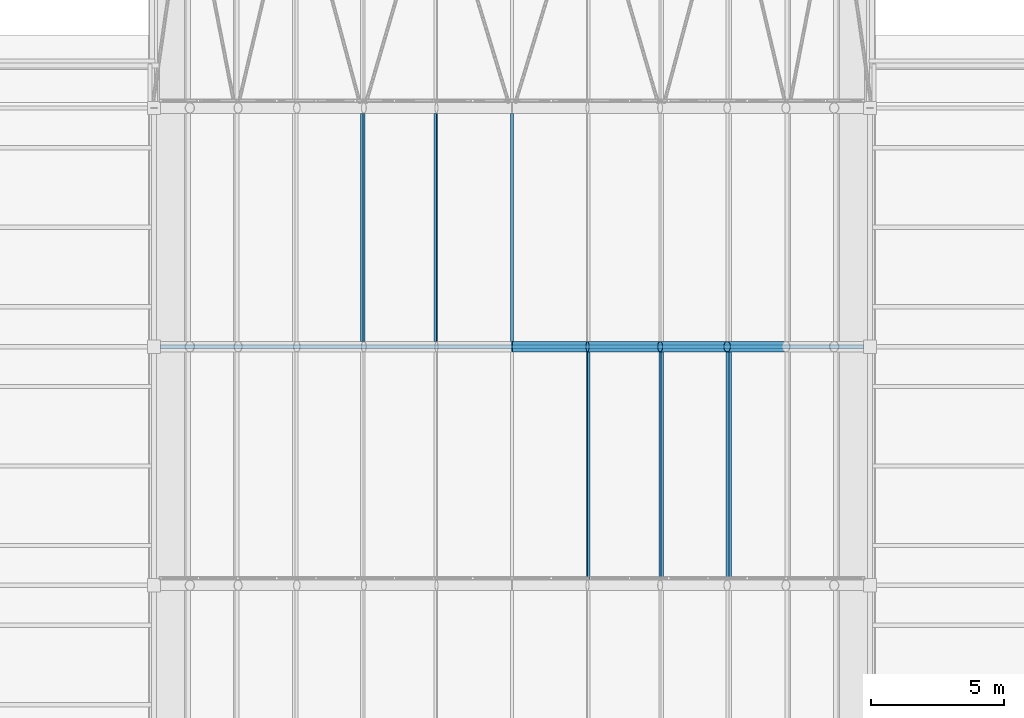
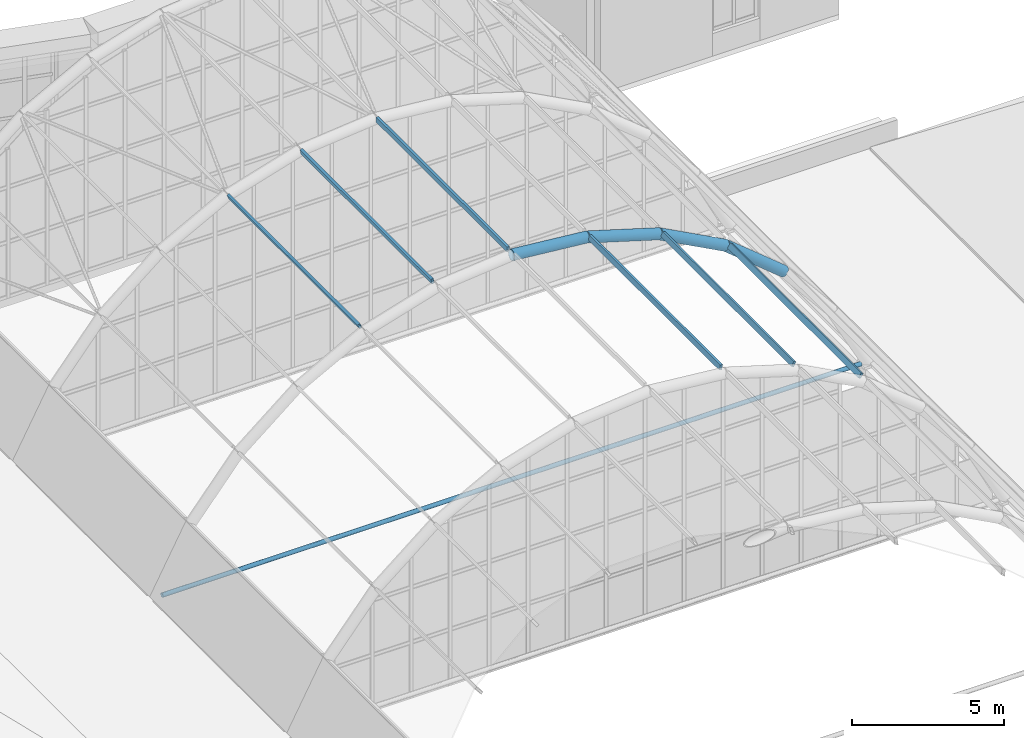
# One storey, part 40 of 121: 11 members.
"""IFC4 building model written with IfcOpenShell, lengths in metres."""

from ifc_helpers import new_model, si_unit, direction, frame, origin, origin_2d, place, context, subcontext, project, spatial, hollow_rectangle, hollow_circle, extrude, material, material_profile, profile_set, type_object, element, save


model = new_model("IFC4")

# Units and contexts
model_context = context("Model", 3, precision=1e-05, world=origin(), true_north=direction((0.0, 1.0)))
body_context = subcontext(model_context, "Body", "Model", "MODEL_VIEW")
ifc_project = project(units=[si_unit("LENGTHUNIT", "METRE"), si_unit("AREAUNIT", "SQUARE_METRE"), si_unit("VOLUMEUNIT", "CUBIC_METRE"), si_unit("PLANEANGLEUNIT", "RADIAN"), si_unit("MASSUNIT", "GRAM", prefix="KILO")], contexts=[model_context])

# Site, building, storey
site_placement = place(None, origin())
site = spatial("IfcSite", under=ifc_project, at=site_placement, CompositionType="ELEMENT")
building_placement = place(site_placement, origin())
building = spatial("IfcBuilding", under=site, at=building_placement, Name="Golden Quay Civic Hall", CompositionType="ELEMENT")
storey_placement = place(building_placement, frame((0.0, 0.0, 18.60009765625)))
storey = spatial("IfcBuildingStorey", under=building, at=storey_placement, Name="L04", CompositionType="ELEMENT", Elevation=18.60009765625)

# Members
ifc_material_1 = material(Name="Steel S355", Category="steel")
ifc_material_profile_1 = material_profile(ifc_material_1, hollow_circle(Radius=0.203125, WallThickness=0.01611328125, at=origin_2d()), Name="CHS 406.4x16")
ifc_profile_set_1 = profile_set([ifc_material_profile_1], Name="Steel S355")
member_type_1 = type_object("IfcMemberType", Name="Steel arch rib CHS 406.4x16", PredefinedType="USERDEFINED", material=ifc_profile_set_1)
member_1_placement = place(storey_placement, frame((85.5, 45.0, 9.099853515625), z_axis=(0.995201360973, 0.0, -0.097848102266), x_axis=(0.0, 1.0, 0.0)))
element("IfcMember", 1, at=member_1_placement, inside=storey, type_object=member_type_1, Name="Arch rib 6 segment 7", ObjectType="ARCH RIB", PredefinedType="USERDEFINED", context=body_context, shape_type="SweptSolid", body=[
    extrude(hollow_circle(Radius=0.203125, WallThickness=0.01611328125, at=origin_2d()), origin(), (0.0, 0.0, 1.0), 2.86181640625),
])
member_2_placement = place(storey_placement, frame((88.34814453125, 45.0, 8.81982421875), z_axis=(0.957095401463, 0.0, -0.289773001673), x_axis=(0.0, 1.0, 0.0)))
element("IfcMember", 2, at=member_2_placement, inside=storey, type_object=member_type_1, Name="Arch rib 6 segment 8", ObjectType="ARCH RIB", PredefinedType="USERDEFINED", context=body_context, shape_type="SweptSolid", body=[
    extrude(hollow_circle(Radius=0.203125, WallThickness=0.01611328125, at=origin_2d()), origin(), (0.0, 0.0, 1.0), 2.862060546875),
])
for number, where, z_axis, x_axis, name in (
    (3, (91.08740234375, 45.0, 7.990478515625), (0.882326964097, 0.0, -0.470636939082), (0.0, 1.0, 0.0), "Arch rib 6 segment 9"),
    (4, (93.612548828125, 45.0, 6.6435546875), (0.773786223221, 0.0, -0.633446825514), (0.0, 1.0, 0.0), "Arch rib 6 segment 10"),
):
    element("IfcMember", number, at=place(storey_placement, frame(where, z_axis=z_axis, x_axis=x_axis)), inside=storey, type_object=member_type_1, Name=name, ObjectType="ARCH RIB", PredefinedType="USERDEFINED", context=body_context, shape_type="SweptSolid", body=[
        extrude(hollow_circle(Radius=0.203125, WallThickness=0.01611328125, at=origin_2d()), origin(), (0.0, 0.0, 1.0), 2.86181640625),
    ])
ifc_material_2 = material(Name="Steel S355", Category="steel")
ifc_material_profile_2 = material_profile(ifc_material_2, hollow_rectangle(XDim=0.10009765625, YDim=0.199951171875, WallThickness=0.008056640625, at=origin_2d()), Name="RHS 200x100x8")
ifc_profile_set_2 = profile_set([ifc_material_profile_2], Name="Steel S355")
member_type_2 = type_object("IfcMemberType", Name="Steel purlin RHS 200x100x8", PredefinedType="PURLIN", material=ifc_profile_set_2)
for number, where, z_axis, x_axis, name in (
    (5, (88.368408203125, 36.203125, 8.921142578125), (0.0, 1.0, 0.0), (-0.98085324351, 0.0, 0.194748336824), "Purlin 5.8"),
    (6, (91.126708984375, 36.203125, 8.0859375), (0.0, 1.0, 0.0), (-0.924146170615, 0.0, 0.382039075668), "Purlin 5.9"),
    (7, (93.669677734375, 36.203125, 6.7294921875), (0.0, 1.0, 0.0), (-0.832050294338, 0.0, 0.554700196226), "Purlin 5.10"),
    (8, (79.873291015625, 45.203125, 8.0859375), (0.0, 1.0, 0.0), (-0.924146170615, 0.0, -0.382039075668), "Purlin 6.5"),
    (9, (82.631591796875, 45.203125, 8.921142578125), (0.0, 1.0, 0.0), (-0.98085324351, 0.0, -0.194748336824), "Purlin 6.6"),
    (10, (85.5, 45.203125, 9.203125), (0.0, 1.0, 0.0), (-1.0, 0.0, 0.0), "Purlin 6.7"),
):
    element("IfcMember", number, at=place(storey_placement, frame(where, z_axis=z_axis, x_axis=x_axis)), inside=storey, type_object=member_type_2, Name=name, PredefinedType="PURLIN", context=body_context, shape_type="SweptSolid", body=[
        extrude(hollow_rectangle(XDim=0.10009765625, YDim=0.199951171875, WallThickness=0.008056640625, at=origin_2d()), origin(), (0.0, 0.0, 1.0), 8.59375),
    ])
ifc_material_3 = material(Name="Steel S355", Category="steel")
ifc_material_profile_3 = material_profile(ifc_material_3, hollow_circle(Radius=0.084228515625, WallThickness=0.008056640625, at=origin_2d()), Name="CHS 168.3x8")
ifc_profile_set_3 = profile_set([ifc_material_profile_3], Name="Steel S355")
member_type_3 = type_object("IfcMemberType", Name="Steel tie rod CHS 168.3x8", PredefinedType="USERDEFINED", material=ifc_profile_set_3)
member_3_placement = place(storey_placement, frame((72.25, 45.0, 0.099853515625), z_axis=(1.0, 0.0, 0.0), x_axis=(0.0, 1.0, 0.0)))
element("IfcMember", 11, at=member_3_placement, inside=storey, type_object=member_type_3, Name="Springing tie 6", ObjectType="TIE ROD", PredefinedType="USERDEFINED", context=body_context, shape_type="SweptSolid", body=[
    extrude(hollow_circle(Radius=0.084228515625, WallThickness=0.008056640625, at=origin_2d()), origin(), (0.0, 0.0, 1.0), 26.5),
])

save(model, "model.ifc")
